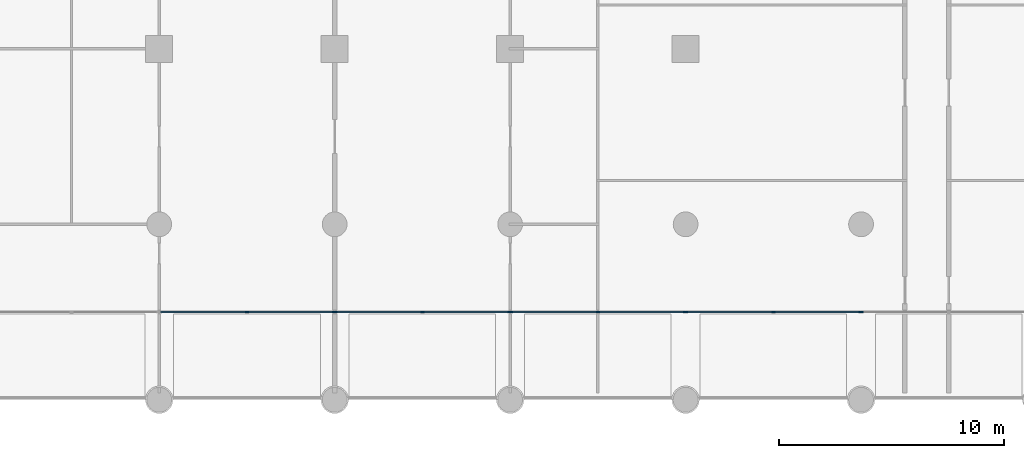
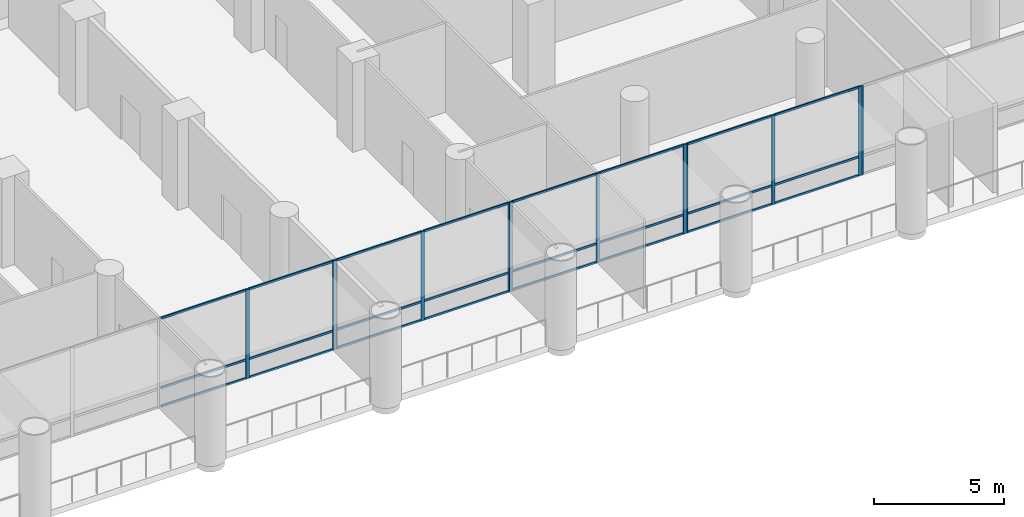
# One storey, part 4 of 24: 36 members, 5 elements without a shape of their own.
"""IFC4 building model written with IfcOpenShell, lengths in metres."""

from ifc_helpers import new_model, si_unit, direction, frame, origin, origin_2d, place, context, subcontext, project, spatial, rectangle, extrude, material, material_profile, profile_set, type_object, element, aggregate, save


model = new_model("IFC4")

# Units and contexts
model_context = context("Model", 3, precision=1e-05, world=origin(), true_north=direction((0.0, 1.0)))
body_context = subcontext(model_context, "Body", "Model", "MODEL_VIEW")
ifc_project = project(units=[si_unit("LENGTHUNIT", "METRE"), si_unit("AREAUNIT", "SQUARE_METRE"), si_unit("VOLUMEUNIT", "CUBIC_METRE"), si_unit("PLANEANGLEUNIT", "RADIAN"), si_unit("MASSUNIT", "GRAM", prefix="KILO")], contexts=[model_context])

# Site, building, storey
site_placement = place(None, origin())
site = spatial("IfcSite", under=ifc_project, at=site_placement, CompositionType="ELEMENT")
building_placement = place(site_placement, origin())
building = spatial("IfcBuilding", under=site, at=building_placement, Name="Ludao Terraces", CompositionType="ELEMENT")
storey_placement = place(building_placement, frame((0.0, 0.0, 6.0)))
storey = spatial("IfcBuildingStorey", under=building, at=storey_placement, Name="L01", CompositionType="ELEMENT", Elevation=6.0)

# Curtain wall, members
ifc_material_1 = material(Name="Aluminium curtain wall with fritted glass", Category="aluminium")
curtain_wall_type = type_object("IfcCurtainWallType", Name="ENV CW1 podium glazing", PredefinedType="NOTDEFINED", material=ifc_material_1)
curtain_wall_1_placement = place(storey_placement, origin())
curtain_wall_1 = element("IfcCurtainWall", 1, at=curtain_wall_1_placement, inside=storey, type_object=curtain_wall_type, Name="CW-L01-S5", PredefinedType="NOTDEFINED")
ifc_material_2 = material(Name="Aluminium 6063-T6", Category="aluminium")
ifc_material_profile_1 = material_profile(ifc_material_2, rectangle(XDim=0.06005859375, YDim=0.14990234375, at=origin_2d()), Name="60 X 150")
ifc_profile_set_1 = profile_set([ifc_material_profile_1], Name="Aluminium 6063-T6")
member_type_1 = type_object("IfcMemberType", Name="ENV CW1 mullion 60x150", PredefinedType="MULLION", material=ifc_profile_set_1)
member_1_placement = place(storey_placement, frame((81.10009765625, 29.89990234375, 0.0), z_axis=(0.0, 0.0, 1.0), x_axis=(0.0, 1.0, 0.0)))
member_1 = element("IfcMember", 2, at=member_1_placement, type_object=member_type_1, Name="CW1 mullion 2", PredefinedType="MULLION", context=body_context, shape_type="SweptSolid", body=[
    extrude(rectangle(XDim=0.06005859375, YDim=0.14990234375, at=origin_2d()), origin(), (0.0, 0.0, 1.0), 4.199951171875),
])
member_2_placement = place(storey_placement, frame((84.969970703125, 29.89990234375, 0.0), z_axis=(0.0, 0.0, 1.0), x_axis=(0.0, 1.0, 0.0)))
member_2 = element("IfcMember", 3, at=member_2_placement, type_object=member_type_1, Name="CW1 mullion 3", PredefinedType="MULLION", context=body_context, shape_type="SweptSolid", body=[
    extrude(rectangle(XDim=0.06005859375, YDim=0.14990234375, at=origin_2d()), origin(), (0.0, 0.0, 1.0), 4.199951171875),
])

curtain_wall_2_placement = place(storey_placement, origin())
curtain_wall_2 = element("IfcCurtainWall", 4, at=curtain_wall_2_placement, inside=storey, type_object=curtain_wall_type, Name="CW-L01-S6", PredefinedType="NOTDEFINED")
member_3_placement = place(storey_placement, frame((85.030029296875, 29.89990234375, 0.0), z_axis=(0.0, 0.0, 1.0), x_axis=(0.0, 1.0, 0.0)))
member_3 = element("IfcMember", 5, at=member_3_placement, type_object=member_type_1, Name="CW1 mullion 1", PredefinedType="MULLION", context=body_context, shape_type="SweptSolid", body=[
    extrude(rectangle(XDim=0.06005859375, YDim=0.14990234375, at=origin_2d()), origin(), (0.0, 0.0, 1.0), 4.199951171875),
])
member_4_placement = place(storey_placement, frame((88.89990234375, 29.89990234375, 0.0), z_axis=(0.0, 0.0, 1.0), x_axis=(0.0, 1.0, 0.0)))
member_4 = element("IfcMember", 6, at=member_4_placement, type_object=member_type_1, Name="CW1 mullion 2", PredefinedType="MULLION", context=body_context, shape_type="SweptSolid", body=[
    extrude(rectangle(XDim=0.06005859375, YDim=0.14990234375, at=origin_2d()), origin(), (0.0, 0.0, 1.0), 4.199951171875),
])
member_5_placement = place(storey_placement, frame((92.77001953125, 29.89990234375, 0.0), z_axis=(0.0, 0.0, 1.0), x_axis=(0.0, 1.0, 0.0)))
member_5 = element("IfcMember", 7, at=member_5_placement, type_object=member_type_1, Name="CW1 mullion 3", PredefinedType="MULLION", context=body_context, shape_type="SweptSolid", body=[
    extrude(rectangle(XDim=0.06005859375, YDim=0.14990234375, at=origin_2d()), origin(), (0.0, 0.0, 1.0), 4.199951171875),
])

curtain_wall_3_placement = place(storey_placement, origin())
curtain_wall_3 = element("IfcCurtainWall", 8, at=curtain_wall_3_placement, inside=storey, type_object=curtain_wall_type, Name="CW-L01-S7", PredefinedType="NOTDEFINED")
member_6_placement = place(storey_placement, frame((92.830078125, 29.89990234375, 0.0), z_axis=(0.0, 0.0, 1.0), x_axis=(0.0, 1.0, 0.0)))
member_6 = element("IfcMember", 9, at=member_6_placement, type_object=member_type_1, Name="CW1 mullion 1", PredefinedType="MULLION", context=body_context, shape_type="SweptSolid", body=[
    extrude(rectangle(XDim=0.06005859375, YDim=0.14990234375, at=origin_2d()), origin(), (0.0, 0.0, 1.0), 4.199951171875),
])
member_7_placement = place(storey_placement, frame((96.699951171875, 29.89990234375, 0.0), z_axis=(0.0, 0.0, 1.0), x_axis=(0.0, 1.0, 0.0)))
member_7 = element("IfcMember", 10, at=member_7_placement, type_object=member_type_1, Name="CW1 mullion 2", PredefinedType="MULLION", context=body_context, shape_type="SweptSolid", body=[
    extrude(rectangle(XDim=0.06005859375, YDim=0.14990234375, at=origin_2d()), origin(), (0.0, 0.0, 1.0), 4.199951171875),
])
member_8_placement = place(storey_placement, frame((100.570068359375, 29.89990234375, 0.0), z_axis=(0.0, 0.0, 1.0), x_axis=(0.0, 1.0, 0.0)))
member_8 = element("IfcMember", 11, at=member_8_placement, type_object=member_type_1, Name="CW1 mullion 3", PredefinedType="MULLION", context=body_context, shape_type="SweptSolid", body=[
    extrude(rectangle(XDim=0.06005859375, YDim=0.14990234375, at=origin_2d()), origin(), (0.0, 0.0, 1.0), 4.199951171875),
])

curtain_wall_4_placement = place(storey_placement, origin())
curtain_wall_4 = element("IfcCurtainWall", 12, at=curtain_wall_4_placement, inside=storey, type_object=curtain_wall_type, Name="CW-L01-S8", PredefinedType="NOTDEFINED")
member_9_placement = place(storey_placement, frame((100.6298828125, 29.89990234375, 0.0), z_axis=(0.0, 0.0, 1.0), x_axis=(0.0, 1.0, 0.0)))
member_9 = element("IfcMember", 13, at=member_9_placement, type_object=member_type_1, Name="CW1 mullion 1", PredefinedType="MULLION", context=body_context, shape_type="SweptSolid", body=[
    extrude(rectangle(XDim=0.06005859375, YDim=0.14990234375, at=origin_2d()), origin(), (0.0, 0.0, 1.0), 4.199951171875),
])
member_10_placement = place(storey_placement, frame((104.5, 29.89990234375, 0.0), z_axis=(0.0, 0.0, 1.0), x_axis=(0.0, 1.0, 0.0)))
member_10 = element("IfcMember", 14, at=member_10_placement, type_object=member_type_1, Name="CW1 mullion 2", PredefinedType="MULLION", context=body_context, shape_type="SweptSolid", body=[
    extrude(rectangle(XDim=0.06005859375, YDim=0.14990234375, at=origin_2d()), origin(), (0.0, 0.0, 1.0), 4.199951171875),
])
member_11_placement = place(storey_placement, frame((108.3701171875, 29.89990234375, 0.0), z_axis=(0.0, 0.0, 1.0), x_axis=(0.0, 1.0, 0.0)))
member_11 = element("IfcMember", 15, at=member_11_placement, type_object=member_type_1, Name="CW1 mullion 3", PredefinedType="MULLION", context=body_context, shape_type="SweptSolid", body=[
    extrude(rectangle(XDim=0.06005859375, YDim=0.14990234375, at=origin_2d()), origin(), (0.0, 0.0, 1.0), 4.199951171875),
])

# Curtain wall, member
curtain_wall_5_placement = place(storey_placement, origin())
curtain_wall_5 = element("IfcCurtainWall", 16, at=curtain_wall_5_placement, inside=storey, type_object=curtain_wall_type, Name="CW-L01-S9", PredefinedType="NOTDEFINED")
member_12_placement = place(storey_placement, frame((108.429931640625, 29.89990234375, 0.0), z_axis=(0.0, 0.0, 1.0), x_axis=(0.0, 1.0, 0.0)))
member_12 = element("IfcMember", 17, at=member_12_placement, type_object=member_type_1, Name="CW1 mullion 1", PredefinedType="MULLION", context=body_context, shape_type="SweptSolid", body=[
    extrude(rectangle(XDim=0.06005859375, YDim=0.14990234375, at=origin_2d()), origin(), (0.0, 0.0, 1.0), 4.199951171875),
])
aggregate(curtain_wall_5, [member_12])

# Member
ifc_material_profile_2 = material_profile(ifc_material_2, rectangle(XDim=0.06005859375, YDim=0.10009765625, at=origin_2d()), Name="60 X 100")
ifc_profile_set_2 = profile_set([ifc_material_profile_2], Name="Aluminium 6063-T6")
member_type_2 = type_object("IfcMemberType", Name="ENV CW1 transom 60x100", PredefinedType="USERDEFINED", material=ifc_profile_set_2)
member_13_placement = place(storey_placement, frame((77.260009765625, 29.89990234375, 0.030029296875), z_axis=(1.0, 0.0, 0.0), x_axis=(0.0, 1.0, 0.0)))
member_13 = element("IfcMember", 18, at=member_13_placement, type_object=member_type_2, Name="CW1 transom 1.1", ObjectType="TRANSOM", PredefinedType="USERDEFINED", context=body_context, shape_type="SweptSolid", body=[
    extrude(rectangle(XDim=0.06005859375, YDim=0.10009765625, at=origin_2d()), origin(), (0.0, 0.0, 1.0), 3.81005859375),
])

member_14_placement = place(storey_placement, frame((77.260009765625, 29.89990234375, 0.89990234375), z_axis=(1.0, 0.0, 0.0), x_axis=(0.0, 1.0, 0.0)))
member_14 = element("IfcMember", 19, at=member_14_placement, type_object=member_type_2, Name="CW1 transom 1.2", ObjectType="TRANSOM", PredefinedType="USERDEFINED", context=body_context, shape_type="SweptSolid", body=[
    extrude(rectangle(XDim=0.06005859375, YDim=0.10009765625, at=origin_2d()), origin(), (0.0, 0.0, 1.0), 3.81005859375),
])

member_15_placement = place(storey_placement, frame((77.260009765625, 29.89990234375, 4.169921875), z_axis=(1.0, 0.0, 0.0), x_axis=(0.0, 1.0, 0.0)))
member_15 = element("IfcMember", 20, at=member_15_placement, type_object=member_type_2, Name="CW1 transom 1.3", ObjectType="TRANSOM", PredefinedType="USERDEFINED", context=body_context, shape_type="SweptSolid", body=[
    extrude(rectangle(XDim=0.06005859375, YDim=0.10009765625, at=origin_2d()), origin(), (0.0, 0.0, 1.0), 3.81005859375),
])

member_16_placement = place(storey_placement, frame((81.1298828125, 29.89990234375, 0.030029296875), z_axis=(1.0, 0.0, 0.0), x_axis=(0.0, 1.0, 0.0)))
member_16 = element("IfcMember", 21, at=member_16_placement, type_object=member_type_2, Name="CW1 transom 2.1", ObjectType="TRANSOM", PredefinedType="USERDEFINED", context=body_context, shape_type="SweptSolid", body=[
    extrude(rectangle(XDim=0.06005859375, YDim=0.10009765625, at=origin_2d()), origin(), (0.0, 0.0, 1.0), 3.81005859375),
])

member_17_placement = place(storey_placement, frame((81.1298828125, 29.89990234375, 0.89990234375), z_axis=(1.0, 0.0, 0.0), x_axis=(0.0, 1.0, 0.0)))
member_17 = element("IfcMember", 22, at=member_17_placement, type_object=member_type_2, Name="CW1 transom 2.2", ObjectType="TRANSOM", PredefinedType="USERDEFINED", context=body_context, shape_type="SweptSolid", body=[
    extrude(rectangle(XDim=0.06005859375, YDim=0.10009765625, at=origin_2d()), origin(), (0.0, 0.0, 1.0), 3.81005859375),
])

member_18_placement = place(storey_placement, frame((81.1298828125, 29.89990234375, 4.169921875), z_axis=(1.0, 0.0, 0.0), x_axis=(0.0, 1.0, 0.0)))
member_18 = element("IfcMember", 23, at=member_18_placement, type_object=member_type_2, Name="CW1 transom 2.3", ObjectType="TRANSOM", PredefinedType="USERDEFINED", context=body_context, shape_type="SweptSolid", body=[
    extrude(rectangle(XDim=0.06005859375, YDim=0.10009765625, at=origin_2d()), origin(), (0.0, 0.0, 1.0), 3.81005859375),
])

aggregate(curtain_wall_1, [member_1, member_2, member_13, member_14, member_15, member_16, member_17, member_18])

member_19_placement = place(storey_placement, frame((85.06005859375, 29.89990234375, 0.030029296875), z_axis=(1.0, 0.0, 0.0), x_axis=(0.0, 1.0, 0.0)))
member_19 = element("IfcMember", 24, at=member_19_placement, type_object=member_type_2, Name="CW1 transom 1.1", ObjectType="TRANSOM", PredefinedType="USERDEFINED", context=body_context, shape_type="SweptSolid", body=[
    extrude(rectangle(XDim=0.06005859375, YDim=0.10009765625, at=origin_2d()), origin(), (0.0, 0.0, 1.0), 3.81005859375),
])

member_20_placement = place(storey_placement, frame((85.06005859375, 29.89990234375, 0.89990234375), z_axis=(1.0, 0.0, 0.0), x_axis=(0.0, 1.0, 0.0)))
member_20 = element("IfcMember", 25, at=member_20_placement, type_object=member_type_2, Name="CW1 transom 1.2", ObjectType="TRANSOM", PredefinedType="USERDEFINED", context=body_context, shape_type="SweptSolid", body=[
    extrude(rectangle(XDim=0.06005859375, YDim=0.10009765625, at=origin_2d()), origin(), (0.0, 0.0, 1.0), 3.81005859375),
])

member_21_placement = place(storey_placement, frame((85.06005859375, 29.89990234375, 4.169921875), z_axis=(1.0, 0.0, 0.0), x_axis=(0.0, 1.0, 0.0)))
member_21 = element("IfcMember", 26, at=member_21_placement, type_object=member_type_2, Name="CW1 transom 1.3", ObjectType="TRANSOM", PredefinedType="USERDEFINED", context=body_context, shape_type="SweptSolid", body=[
    extrude(rectangle(XDim=0.06005859375, YDim=0.10009765625, at=origin_2d()), origin(), (0.0, 0.0, 1.0), 3.81005859375),
])

member_22_placement = place(storey_placement, frame((88.929931640625, 29.89990234375, 0.030029296875), z_axis=(1.0, 0.0, 0.0), x_axis=(0.0, 1.0, 0.0)))
member_22 = element("IfcMember", 27, at=member_22_placement, type_object=member_type_2, Name="CW1 transom 2.1", ObjectType="TRANSOM", PredefinedType="USERDEFINED", context=body_context, shape_type="SweptSolid", body=[
    extrude(rectangle(XDim=0.06005859375, YDim=0.10009765625, at=origin_2d()), origin(), (0.0, 0.0, 1.0), 3.81005859375),
])

member_23_placement = place(storey_placement, frame((88.929931640625, 29.89990234375, 0.89990234375), z_axis=(1.0, 0.0, 0.0), x_axis=(0.0, 1.0, 0.0)))
member_23 = element("IfcMember", 28, at=member_23_placement, type_object=member_type_2, Name="CW1 transom 2.2", ObjectType="TRANSOM", PredefinedType="USERDEFINED", context=body_context, shape_type="SweptSolid", body=[
    extrude(rectangle(XDim=0.06005859375, YDim=0.10009765625, at=origin_2d()), origin(), (0.0, 0.0, 1.0), 3.81005859375),
])

member_24_placement = place(storey_placement, frame((88.929931640625, 29.89990234375, 4.169921875), z_axis=(1.0, 0.0, 0.0), x_axis=(0.0, 1.0, 0.0)))
member_24 = element("IfcMember", 29, at=member_24_placement, type_object=member_type_2, Name="CW1 transom 2.3", ObjectType="TRANSOM", PredefinedType="USERDEFINED", context=body_context, shape_type="SweptSolid", body=[
    extrude(rectangle(XDim=0.06005859375, YDim=0.10009765625, at=origin_2d()), origin(), (0.0, 0.0, 1.0), 3.81005859375),
])

aggregate(curtain_wall_2, [member_3, member_4, member_5, member_19, member_20, member_21, member_22, member_23, member_24])

member_25_placement = place(storey_placement, frame((92.860107421875, 29.89990234375, 0.030029296875), z_axis=(1.0, 0.0, 0.0), x_axis=(0.0, 1.0, 0.0)))
member_25 = element("IfcMember", 30, at=member_25_placement, type_object=member_type_2, Name="CW1 transom 1.1", ObjectType="TRANSOM", PredefinedType="USERDEFINED", context=body_context, shape_type="SweptSolid", body=[
    extrude(rectangle(XDim=0.06005859375, YDim=0.10009765625, at=origin_2d()), origin(), (0.0, 0.0, 1.0), 3.809814453125),
])

member_26_placement = place(storey_placement, frame((92.860107421875, 29.89990234375, 0.89990234375), z_axis=(1.0, 0.0, 0.0), x_axis=(0.0, 1.0, 0.0)))
member_26 = element("IfcMember", 31, at=member_26_placement, type_object=member_type_2, Name="CW1 transom 1.2", ObjectType="TRANSOM", PredefinedType="USERDEFINED", context=body_context, shape_type="SweptSolid", body=[
    extrude(rectangle(XDim=0.06005859375, YDim=0.10009765625, at=origin_2d()), origin(), (0.0, 0.0, 1.0), 3.809814453125),
])

member_27_placement = place(storey_placement, frame((92.860107421875, 29.89990234375, 4.169921875), z_axis=(1.0, 0.0, 0.0), x_axis=(0.0, 1.0, 0.0)))
member_27 = element("IfcMember", 32, at=member_27_placement, type_object=member_type_2, Name="CW1 transom 1.3", ObjectType="TRANSOM", PredefinedType="USERDEFINED", context=body_context, shape_type="SweptSolid", body=[
    extrude(rectangle(XDim=0.06005859375, YDim=0.10009765625, at=origin_2d()), origin(), (0.0, 0.0, 1.0), 3.809814453125),
])

member_28_placement = place(storey_placement, frame((96.72998046875, 29.89990234375, 0.030029296875), z_axis=(1.0, 0.0, 0.0), x_axis=(0.0, 1.0, 0.0)))
member_28 = element("IfcMember", 33, at=member_28_placement, type_object=member_type_2, Name="CW1 transom 2.1", ObjectType="TRANSOM", PredefinedType="USERDEFINED", context=body_context, shape_type="SweptSolid", body=[
    extrude(rectangle(XDim=0.06005859375, YDim=0.10009765625, at=origin_2d()), origin(), (0.0, 0.0, 1.0), 3.81005859375),
])

member_29_placement = place(storey_placement, frame((96.72998046875, 29.89990234375, 0.89990234375), z_axis=(1.0, 0.0, 0.0), x_axis=(0.0, 1.0, 0.0)))
member_29 = element("IfcMember", 34, at=member_29_placement, type_object=member_type_2, Name="CW1 transom 2.2", ObjectType="TRANSOM", PredefinedType="USERDEFINED", context=body_context, shape_type="SweptSolid", body=[
    extrude(rectangle(XDim=0.06005859375, YDim=0.10009765625, at=origin_2d()), origin(), (0.0, 0.0, 1.0), 3.81005859375),
])

member_30_placement = place(storey_placement, frame((96.72998046875, 29.89990234375, 4.169921875), z_axis=(1.0, 0.0, 0.0), x_axis=(0.0, 1.0, 0.0)))
member_30 = element("IfcMember", 35, at=member_30_placement, type_object=member_type_2, Name="CW1 transom 2.3", ObjectType="TRANSOM", PredefinedType="USERDEFINED", context=body_context, shape_type="SweptSolid", body=[
    extrude(rectangle(XDim=0.06005859375, YDim=0.10009765625, at=origin_2d()), origin(), (0.0, 0.0, 1.0), 3.81005859375),
])

aggregate(curtain_wall_3, [member_6, member_7, member_8, member_25, member_26, member_27, member_28, member_29, member_30])

member_31_placement = place(storey_placement, frame((100.659912109375, 29.89990234375, 0.030029296875), z_axis=(1.0, 0.0, 0.0), x_axis=(0.0, 1.0, 0.0)))
member_31 = element("IfcMember", 36, at=member_31_placement, type_object=member_type_2, Name="CW1 transom 1.1", ObjectType="TRANSOM", PredefinedType="USERDEFINED", context=body_context, shape_type="SweptSolid", body=[
    extrude(rectangle(XDim=0.06005859375, YDim=0.10009765625, at=origin_2d()), origin(), (0.0, 0.0, 1.0), 3.81005859375),
])

member_32_placement = place(storey_placement, frame((100.659912109375, 29.89990234375, 0.89990234375), z_axis=(1.0, 0.0, 0.0), x_axis=(0.0, 1.0, 0.0)))
member_32 = element("IfcMember", 37, at=member_32_placement, type_object=member_type_2, Name="CW1 transom 1.2", ObjectType="TRANSOM", PredefinedType="USERDEFINED", context=body_context, shape_type="SweptSolid", body=[
    extrude(rectangle(XDim=0.06005859375, YDim=0.10009765625, at=origin_2d()), origin(), (0.0, 0.0, 1.0), 3.81005859375),
])

member_33_placement = place(storey_placement, frame((100.659912109375, 29.89990234375, 4.169921875), z_axis=(1.0, 0.0, 0.0), x_axis=(0.0, 1.0, 0.0)))
member_33 = element("IfcMember", 38, at=member_33_placement, type_object=member_type_2, Name="CW1 transom 1.3", ObjectType="TRANSOM", PredefinedType="USERDEFINED", context=body_context, shape_type="SweptSolid", body=[
    extrude(rectangle(XDim=0.06005859375, YDim=0.10009765625, at=origin_2d()), origin(), (0.0, 0.0, 1.0), 3.81005859375),
])

member_34_placement = place(storey_placement, frame((104.530029296875, 29.89990234375, 0.030029296875), z_axis=(1.0, 0.0, 0.0), x_axis=(0.0, 1.0, 0.0)))
member_34 = element("IfcMember", 39, at=member_34_placement, type_object=member_type_2, Name="CW1 transom 2.1", ObjectType="TRANSOM", PredefinedType="USERDEFINED", context=body_context, shape_type="SweptSolid", body=[
    extrude(rectangle(XDim=0.06005859375, YDim=0.10009765625, at=origin_2d()), origin(), (0.0, 0.0, 1.0), 3.81005859375),
])

member_35_placement = place(storey_placement, frame((104.530029296875, 29.89990234375, 0.89990234375), z_axis=(1.0, 0.0, 0.0), x_axis=(0.0, 1.0, 0.0)))
member_35 = element("IfcMember", 40, at=member_35_placement, type_object=member_type_2, Name="CW1 transom 2.2", ObjectType="TRANSOM", PredefinedType="USERDEFINED", context=body_context, shape_type="SweptSolid", body=[
    extrude(rectangle(XDim=0.06005859375, YDim=0.10009765625, at=origin_2d()), origin(), (0.0, 0.0, 1.0), 3.81005859375),
])

member_36_placement = place(storey_placement, frame((104.530029296875, 29.89990234375, 4.169921875), z_axis=(1.0, 0.0, 0.0), x_axis=(0.0, 1.0, 0.0)))
member_36 = element("IfcMember", 41, at=member_36_placement, type_object=member_type_2, Name="CW1 transom 2.3", ObjectType="TRANSOM", PredefinedType="USERDEFINED", context=body_context, shape_type="SweptSolid", body=[
    extrude(rectangle(XDim=0.06005859375, YDim=0.10009765625, at=origin_2d()), origin(), (0.0, 0.0, 1.0), 3.81005859375),
])

aggregate(curtain_wall_4, [member_9, member_10, member_11, member_31, member_32, member_33, member_34, member_35, member_36])

save(model, "model.ifc")
